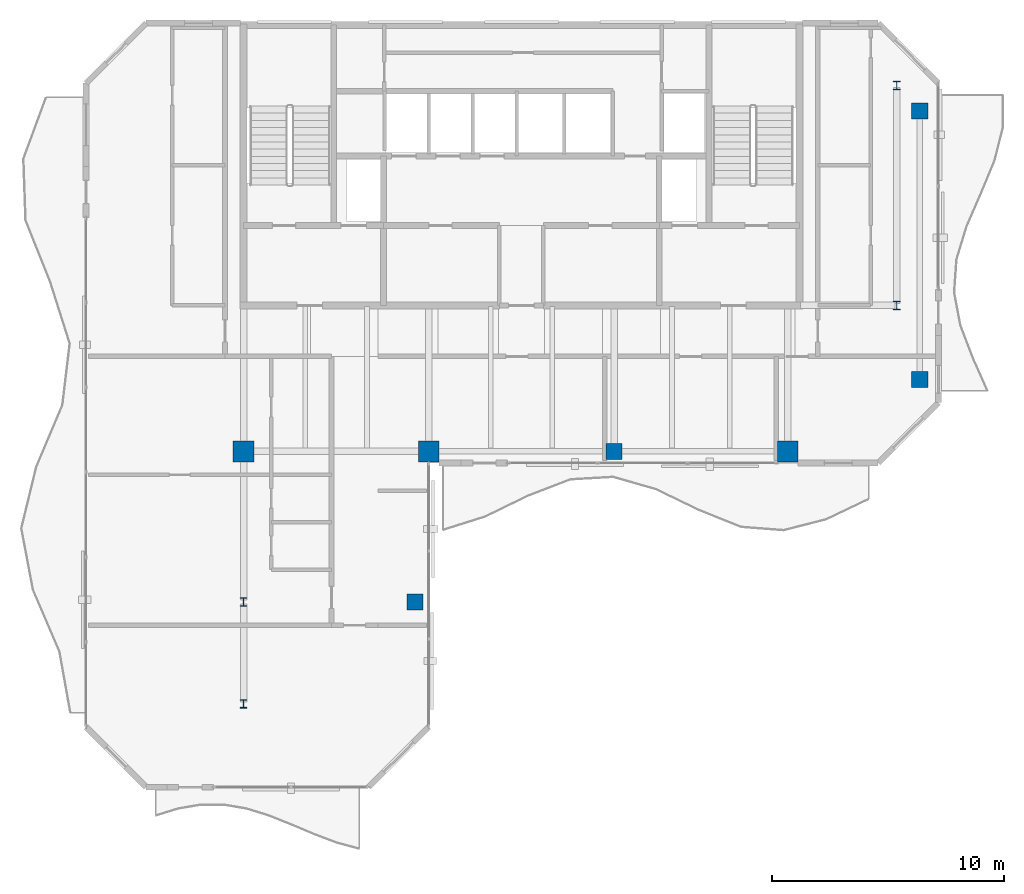
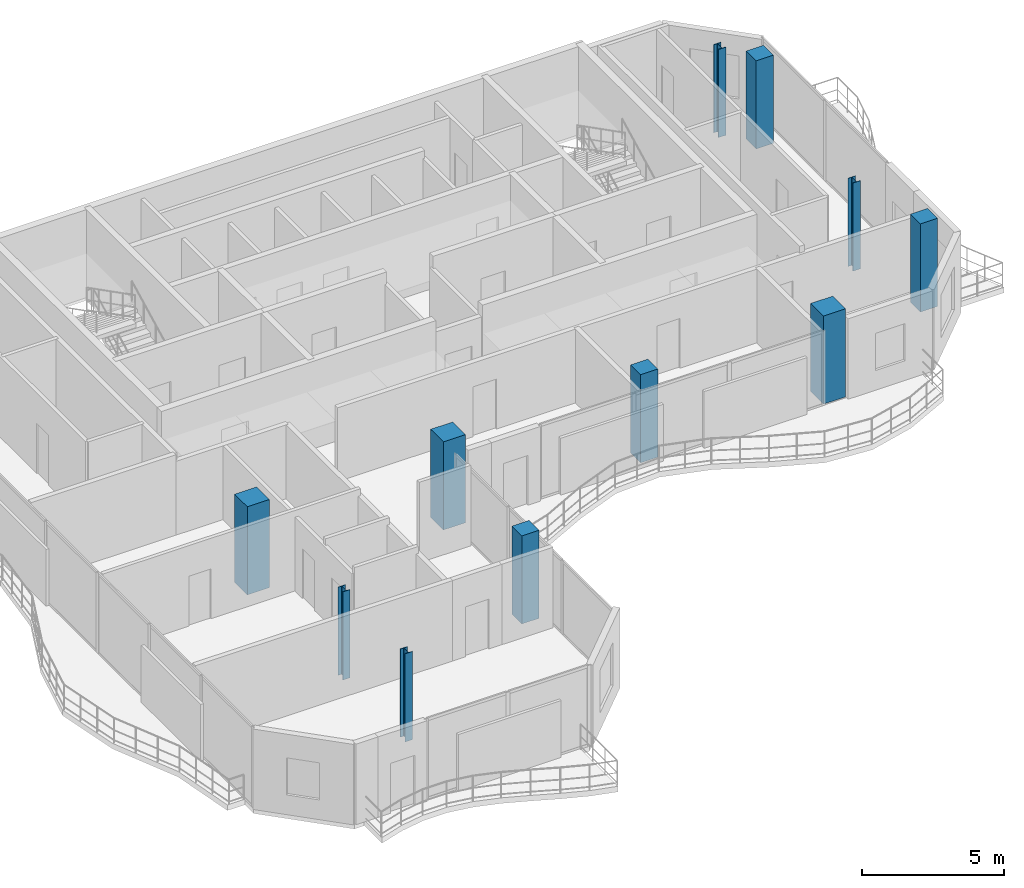
# One storey, part 1 of 16: 11 columns.
"""IFC4 building model written with IfcOpenShell, lengths in metres."""

from ifc_helpers import new_model, si_unit, direction, frame, origin, origin_2d, place, context, subcontext, project, spatial, rectangle, i_section, extrude, material, material_profile, profile_set, type_object, element, save


model = new_model("IFC4")

# Units and contexts
model_context = context("Model", 3, precision=1e-05, world=origin(), true_north=direction((0.0, 1.0)))
body_context = subcontext(model_context, "Body", "Model", "MODEL_VIEW")
ifc_project = project(units=[si_unit("LENGTHUNIT", "METRE"), si_unit("AREAUNIT", "SQUARE_METRE"), si_unit("VOLUMEUNIT", "CUBIC_METRE"), si_unit("PLANEANGLEUNIT", "RADIAN"), si_unit("MASSUNIT", "GRAM", prefix="KILO")], contexts=[model_context])

# Site, building, storey
site_placement = place(None, origin())
site = spatial("IfcSite", under=ifc_project, at=site_placement, CompositionType="ELEMENT")
building_placement = place(site_placement, origin())
building = spatial("IfcBuilding", under=site, at=building_placement, Name="Catumbela Crestline Tower", CompositionType="ELEMENT")
storey_placement = place(building_placement, frame((0.0, 0.0, 286.8)))
storey = spatial("IfcBuildingStorey", under=building, at=storey_placement, Name="L74", CompositionType="ELEMENT", Elevation=286.8)

# Columns
ifc_material_1 = material(Name="Concrete C45/55", Category="concrete")
ifc_material_profile_1 = material_profile(ifc_material_1, rectangle(XDim=0.7, YDim=0.7, at=origin_2d()), Name="RC 700x700")
ifc_profile_set_1 = profile_set([ifc_material_profile_1], Name="Concrete C45/55")
column_type_1 = type_object("IfcColumnType", Name="C-RC700-C45", PredefinedType="COLUMN", material=ifc_profile_set_1)
for number, where, z_axis, x_axis, name in (
    (1, (32.0, 24.5, 0.0), (0.0, 0.0, 1.0), (1.0, 0.0, 0.0), "L74 Column C-32-24 (RC 700x700)"),
    (2, (45.2, 27.6, 0.0), (0.0, 0.0, 1.0), (1.0, 0.0, 0.0), "L74 Column C-46-24 (RC 700x700)"),
    (3, (45.2, 39.2, 0.0), (0.0, 0.0, 1.0), (1.0, 0.0, 0.0), "L74 Column C-46-43 (RC 700x700)"),
    (4, (23.4, 18.0, 0.0), (0.0, 0.0, 1.0), (1.0, 0.0, 0.0), "L74 Column C-24-16 (RC 700x700)"),
):
    element("IfcColumn", number, at=place(storey_placement, frame(where, z_axis=z_axis, x_axis=x_axis)), inside=storey, type_object=column_type_1, Name=name, PredefinedType="COLUMN", context=body_context, shape_type="SweptSolid", body=[
        extrude(rectangle(XDim=0.7, YDim=0.7, at=origin_2d()), origin(), (0.0, 0.0, 1.0), 3.8),
    ])
ifc_material_profile_2 = material_profile(ifc_material_1, rectangle(XDim=0.9, YDim=0.9, at=origin_2d()), Name="RC 900x900")
ifc_profile_set_2 = profile_set([ifc_material_profile_2], Name="Concrete C45/55")
column_type_2 = type_object("IfcColumnType", Name="C-RC900-C45", PredefinedType="COLUMN", material=ifc_profile_set_2)
for number, where, z_axis, x_axis, name in (
    (5, (16.0, 24.5, 0.0), (0.0, 0.0, 1.0), (1.0, 0.0, 0.0), "L74 Column C-16-24 (RC 900x900)"),
    (6, (24.0, 24.5, 0.0), (0.0, 0.0, 1.0), (1.0, 0.0, 0.0), "L74 Column C-24-24 (RC 900x900)"),
    (7, (39.5, 24.5, 0.0), (0.0, 0.0, 1.0), (1.0, 0.0, 0.0), "L74 Column C-40-24 (RC 900x900)"),
):
    element("IfcColumn", number, at=place(storey_placement, frame(where, z_axis=z_axis, x_axis=x_axis)), inside=storey, type_object=column_type_2, Name=name, PredefinedType="COLUMN", context=body_context, shape_type="SweptSolid", body=[
        extrude(rectangle(XDim=0.9, YDim=0.9, at=origin_2d()), origin(), (0.0, 0.0, 1.0), 3.8),
    ])
ifc_material_2 = material(Name="Structural steel S355J2", Category="steel")
ifc_material_profile_3 = material_profile(ifc_material_2, i_section(OverallWidth=0.3, OverallDepth=0.36, WebThickness=0.0125, FlangeThickness=0.0225, FilletRadius=0.027, at=origin_2d()), Name="HEB 360")
ifc_profile_set_3 = profile_set([ifc_material_profile_3], Name="Structural steel S355J2")
column_type_3 = type_object("IfcColumnType", Name="C-ST-HEB360", PredefinedType="COLUMN", material=ifc_profile_set_3)
for number, where, z_axis, x_axis, name in (
    (8, (16.0, 13.6, 0.0), (0.0, 0.0, 1.0), (1.0, 0.0, 0.0), "L74 Column CT-14-10 (HEB 360)"),
    (9, (16.0, 18.0, 0.0), (0.0, 0.0, 1.0), (1.0, 0.0, 0.0), "L74 Column CT-14-16 (HEB 360)"),
    (10, (44.2, 30.8, 0.0), (0.0, 0.0, 1.0), (1.0, 0.0, 0.0), "L74 Column CT-46-31 (HEB 360)"),
    (11, (44.2, 40.3, 0.0), (0.0, 0.0, 1.0), (1.0, 0.0, 0.0), "L74 Column CT-46-37 (HEB 360)"),
):
    element("IfcColumn", number, at=place(storey_placement, frame(where, z_axis=z_axis, x_axis=x_axis)), inside=storey, type_object=column_type_3, Name=name, PredefinedType="COLUMN", context=body_context, shape_type="SweptSolid", body=[
        extrude(i_section(OverallWidth=0.3, OverallDepth=0.36, WebThickness=0.0125, FlangeThickness=0.0225, FilletRadius=0.027, at=origin_2d()), origin(), (0.0, 0.0, 1.0), 3.8),
    ])

save(model, "model.ifc")
